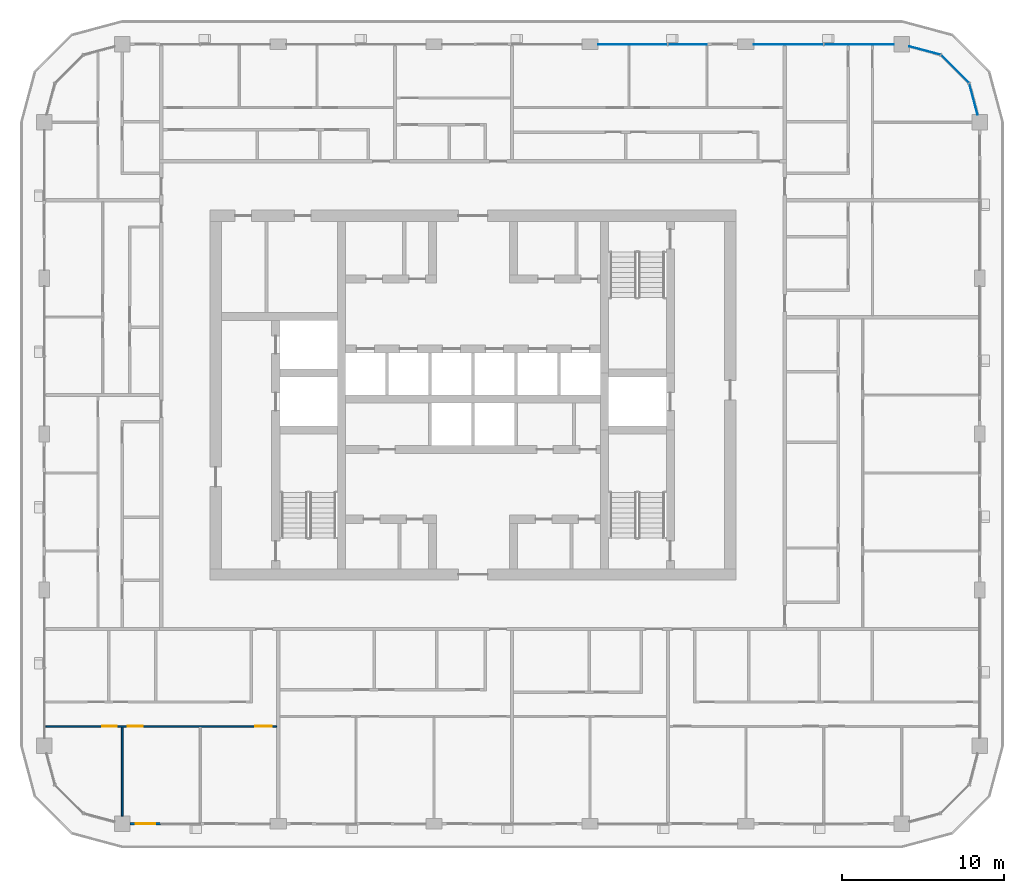
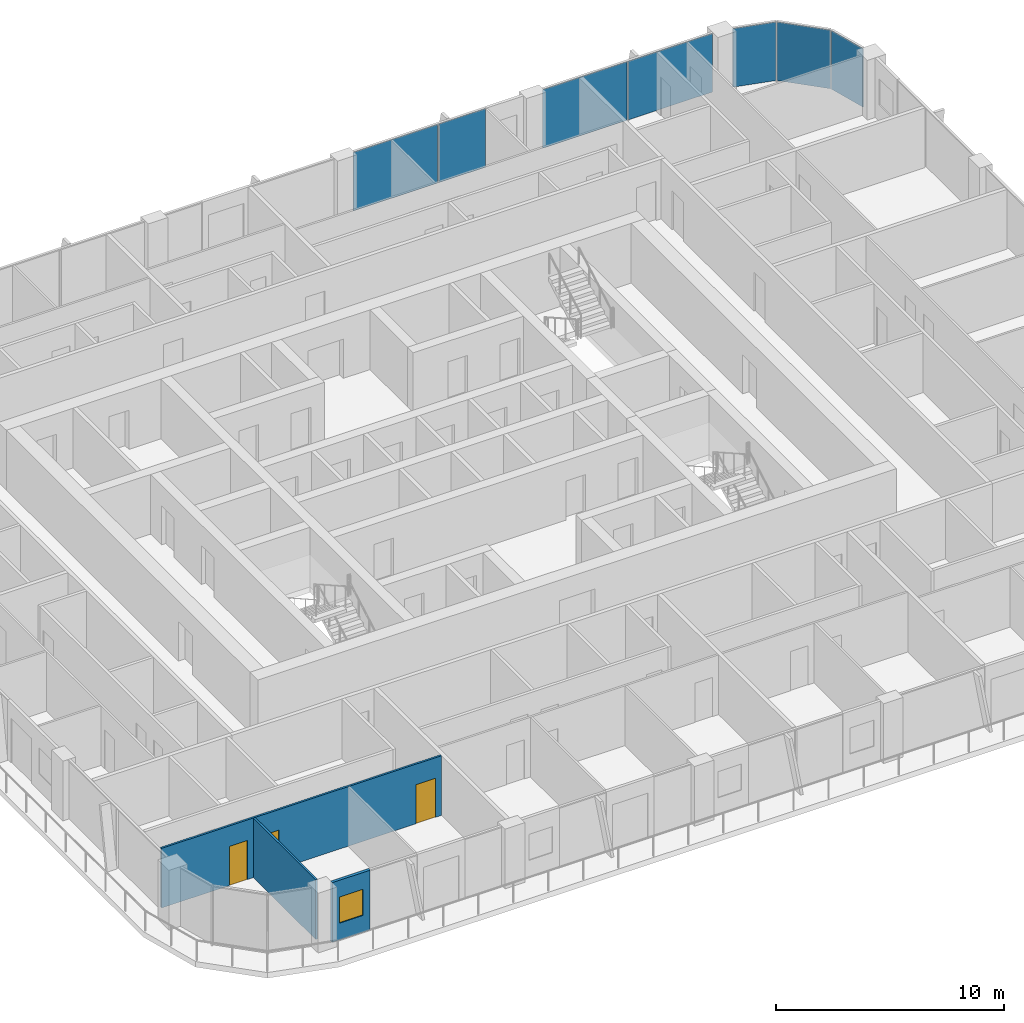
# One storey, part 8 of 22: 7 plates, 3 doors, 3 walls, 1 window, 4 openings, 3 elements without a shape of their own.
"""IFC4 building model written with IfcOpenShell, lengths in metres."""

from ifc_helpers import new_model, si_unit, direction, frame, frame_2d, origin, origin_2d, place, context, subcontext, project, spatial, rectangle, extrude, material, layer, layer_set, type_object, element, fill, aggregate, save


model = new_model("IFC4")

# Units and contexts
model_context = context("Model", 3, precision=1e-05, world=origin(), true_north=direction((0.0, 1.0)))
body_context = subcontext(model_context, "Body", "Model", "MODEL_VIEW")
ifc_project = project(units=[si_unit("LENGTHUNIT", "METRE"), si_unit("AREAUNIT", "SQUARE_METRE"), si_unit("VOLUMEUNIT", "CUBIC_METRE"), si_unit("PLANEANGLEUNIT", "RADIAN"), si_unit("MASSUNIT", "GRAM", prefix="KILO")], contexts=[model_context])

# Site, building, storey
site_placement = place(None, origin())
site = spatial("IfcSite", under=ifc_project, at=site_placement, CompositionType="ELEMENT")
building_placement = place(site_placement, origin())
building = spatial("IfcBuilding", under=site, at=building_placement, Name="Madar Terraces", CompositionType="ELEMENT")
storey_placement = place(building_placement, frame((0.0, 0.0, 182.39990234375)))
storey = spatial("IfcBuildingStorey", under=building, at=storey_placement, Name="L47", CompositionType="ELEMENT", Elevation=182.39990234375)

# Curtain wall, plates
ifc_material_1 = material(Name="Glass, ceramic frit dark grey, with black aluminium frame", Category="aluminium")
ifc_layer_1 = layer(ifc_material_1, 0.199951171875)
ifc_layer_set_1 = layer_set([ifc_layer_1], Name="Facade curtain wall, fritted glass")
curtain_wall_type = type_object("IfcCurtainWallType", Name="Facade curtain wall, fritted glass", PredefinedType="NOTDEFINED", material=ifc_layer_set_1)
curtain_wall_1_placement = place(storey_placement, origin())
curtain_wall_1 = element("IfcCurtainWall", 1, at=curtain_wall_1_placement, inside=storey, type_object=curtain_wall_type, Name="Outer skin curtain wall north bay 1", PredefinedType="NOTDEFINED")
ifc_material_2 = material(Name="Glass, ceramic frit dark grey", Category="glass")
ifc_layer_2 = layer(ifc_material_2, 0.028076171875)
ifc_layer_set_2 = layer_set([ifc_layer_2], Name="Facade glass panel 28")
plate_type = type_object("IfcPlateType", Name="Facade glass panel 28", PredefinedType="CURTAIN_PANEL", material=ifc_layer_set_2)
plate_1_placement = place(storey_placement, frame((54.9775390625, 48.0, 0.0), z_axis=(0.0, 0.0, 1.0), x_axis=(-1.0, 0.0, 0.0)))
plate_1 = element("IfcPlate", 2, at=plate_1_placement, type_object=plate_type, Name="Panel 1", PredefinedType="CURTAIN_PANEL", context=body_context, shape_type="SweptSolid", body=[
    extrude(rectangle(XDim=4.294921875, YDim=0.028076171875, at=origin_2d()), origin(), (0.0, 0.0, 1.0), 3.139892578125),
])
plate_2_placement = place(storey_placement, frame((50.635009765625, 48.0, 0.0), z_axis=(0.0, 0.0, 1.0), x_axis=(-1.0, 0.0, 0.0)))
plate_2 = element("IfcPlate", 3, at=plate_2_placement, type_object=plate_type, Name="Panel 2", PredefinedType="CURTAIN_PANEL", context=body_context, shape_type="SweptSolid", body=[
    extrude(rectangle(XDim=4.27001953125, YDim=0.028076171875, at=origin_2d()), origin(), (0.0, 0.0, 1.0), 3.139892578125),
])
aggregate(curtain_wall_1, [plate_1, plate_2])

curtain_wall_2_placement = place(storey_placement, origin())
curtain_wall_2 = element("IfcCurtainWall", 4, at=curtain_wall_2_placement, inside=storey, type_object=curtain_wall_type, Name="Outer skin curtain wall north bay 2", PredefinedType="NOTDEFINED")
plate_3_placement = place(storey_placement, frame((44.4150390625, 48.0, 0.0), z_axis=(0.0, 0.0, 1.0), x_axis=(-1.0, 0.0, 0.0)))
plate_3 = element("IfcPlate", 5, at=plate_3_placement, type_object=plate_type, Name="Panel 1", PredefinedType="CURTAIN_PANEL", context=body_context, shape_type="SweptSolid", body=[
    extrude(rectangle(XDim=2.3701171875, YDim=0.028076171875, at=origin_2d()), origin(), (0.0, 0.0, 1.0), 3.139892578125),
])
plate_4_placement = place(storey_placement, frame((41.034912109375, 48.0, 0.0), z_axis=(0.0, 0.0, 1.0), x_axis=(-1.0, 0.0, 0.0)))
plate_4 = element("IfcPlate", 6, at=plate_4_placement, type_object=plate_type, Name="Panel 2", PredefinedType="CURTAIN_PANEL", context=body_context, shape_type="SweptSolid", body=[
    extrude(rectangle(XDim=4.27001953125, YDim=0.028076171875, at=origin_2d()), origin(), (0.0, 0.0, 1.0), 3.139892578125),
])
aggregate(curtain_wall_2, [plate_3, plate_4])

curtain_wall_3_placement = place(storey_placement, origin())
curtain_wall_3 = element("IfcCurtainWall", 7, at=curtain_wall_3_placement, inside=storey, type_object=curtain_wall_type, Name="Outer skin curtain wall north-east corner", PredefinedType="NOTDEFINED")
plate_5_placement = place(storey_placement, frame((62.018798828125, 44.623046875, 0.0), z_axis=(0.0, 0.0, 1.0), x_axis=(-0.258819021888, 0.965925832509, 0.0)))
plate_5 = element("IfcPlate", 8, at=plate_5_placement, type_object=plate_type, Name="Panel 1", PredefinedType="CURTAIN_PANEL", context=body_context, shape_type="SweptSolid", body=[
    extrude(rectangle(XDim=1.962890625, YDim=0.028076171875, at=origin_2d()), origin(), (0.0, 0.0, 1.0), 3.139892578125),
])
plate_6_placement = place(storey_placement, frame((60.87841796875, 46.478515625, 0.0), z_axis=(0.0, 0.0, 1.0), x_axis=(-0.707106781187, 0.707106781187, 0.0)))
plate_6 = element("IfcPlate", 9, at=plate_6_placement, type_object=plate_type, Name="Panel 2", PredefinedType="CURTAIN_PANEL", context=body_context, shape_type="SweptSolid", body=[
    extrude(rectangle(XDim=2.424560546875, YDim=0.028076171875, at=origin_2d()), origin(), (0.0, 0.0, 1.0), 3.139892578125),
])
plate_7_placement = place(storey_placement, frame((59.02294921875, 47.61865234375, 0.0), z_axis=(0.0, 0.0, 1.0), x_axis=(-0.965925832509, 0.258819021888, 0.0)))
plate_7 = element("IfcPlate", 10, at=plate_7_placement, type_object=plate_type, Name="Panel 3", PredefinedType="CURTAIN_PANEL", context=body_context, shape_type="SweptSolid", body=[
    extrude(rectangle(XDim=1.962890625, YDim=0.028076171875, at=origin_2d()), origin(), (0.0, 0.0, 1.0), 3.139892578125),
])
aggregate(curtain_wall_3, [plate_5, plate_6, plate_7])

# Wall, opening, window
ifc_material_3 = material(Name="Aluminium composite panel, black, over insulated backing", Category="aluminium")
ifc_layer_3 = layer(ifc_material_3, 0.14990234375)
ifc_layer_set_3 = layer_set([ifc_layer_3], Name="Facade bay panel 150")
wall_type_1 = type_object("IfcWallType", Name="Facade bay panel 150", PredefinedType="SOLIDWALL", material=ifc_layer_set_3)
wall_1_placement = place(storey_placement, frame((10.074951171875, 0.0, 0.0), z_axis=(0.0, 0.0, 1.0), x_axis=(1.0, 0.0, 0.0)))
wall_1 = element("IfcWall", 11, at=wall_1_placement, inside=storey, type_object=wall_type_1, Name="Facade bay panel", PredefinedType="SOLIDWALL", context=body_context, shape_type="SweptSolid", body=[
    extrude(rectangle(XDim=1.925048828125, YDim=0.14990234375, at=frame_2d((0.96240234375, 0.0))), origin(), (0.0, 0.0, 1.0), 3.2001953125),
])
opening_1_placement = place(wall_1_placement, frame((0.362548828125, 0.0, 0.89990234375)))
opening_1 = element("IfcOpeningElement", 12, at=opening_1_placement, cuts=wall_1, Name="Opening W1", PredefinedType="OPENING", context=body_context, shape_type="SweptSolid", body=[
    extrude(rectangle(XDim=1.199951171875, YDim=1.39990234375, at=frame_2d((0.60009765625, 0.699951171875))), frame((0.0, 0.0849609375, 0.0), z_axis=(0.0, -1.0, 0.0), x_axis=(1.0, 0.0, 0.0)), (0.0, 0.0, 1.0), 0.169921875),
])
ifc_material_4 = material(Name="Glass, clear, with black aluminium frame", Category="aluminium")
window_type = type_object("IfcWindowType", Name="Vent window 1200 x 1400", PartitioningType="SINGLE_PANEL", PredefinedType="WINDOW", material=ifc_material_4)
window_placement = place(opening_1_placement, origin())
window = element("IfcWindow", 13, at=window_placement, inside=storey, type_object=window_type, Name="Operable vent window", OverallHeight=1.39990234375, OverallWidth=1.199951171875, PartitioningType="SINGLE_PANEL", PredefinedType="WINDOW", context=body_context, shape_type="SweptSolid", body=[
    extrude(rectangle(XDim=1.199951171875, YDim=1.39990234375, at=frame_2d((0.60009765625, 0.699951171875))), frame((0.0, 0.030029296875, 0.0), z_axis=(0.0, -1.0, 0.0), x_axis=(1.0, 0.0, 0.0)), (0.0, 0.0, 1.0), 0.06005859375),
])
fill(opening_1, window)

# Wall
ifc_material_5 = material(Name="Gypsum board on steel studs", Category="steel")
ifc_layer_4 = layer(ifc_material_5, 0.10009765625)
ifc_layer_set_4 = layer_set([ifc_layer_4], Name="Flat partition 100")
wall_type_2 = type_object("IfcWallType", Name="Flat partition 100", PredefinedType="PARTITIONING", material=ifc_layer_set_4)
wall_2_placement = place(storey_placement, frame((9.60009765625, 5.949951171875, 0.0), z_axis=(0.0, 0.0, 1.0), x_axis=(0.0, -1.0, 0.0)))
element("IfcWall", 14, at=wall_2_placement, inside=storey, type_object=wall_type_2, Name="Flat partition 100", PredefinedType="PARTITIONING", context=body_context, shape_type="SweptSolid", body=[
    extrude(rectangle(XDim=5.474853515625, YDim=0.10009765625, at=frame_2d((2.7373046875, 0.0))), origin(), (0.0, 0.0, 1.0), 3.2001953125),
])

# Wall, openings, doors
wall_3_placement = place(storey_placement, frame((19.10009765625, 6.0, 0.0), z_axis=(0.0, 0.0, 1.0), x_axis=(-1.0, 0.0, 0.0)))
wall_3 = element("IfcWall", 15, at=wall_3_placement, inside=storey, type_object=wall_type_2, Name="Flat partition 100", PredefinedType="PARTITIONING", context=body_context, shape_type="SweptSolid", body=[
    extrude(rectangle(XDim=14.2001953125, YDim=0.10009765625, at=frame_2d((7.10009765625, 0.0))), origin(), (0.0, 0.0, 1.0), 3.2001953125),
])
opening_2_placement = place(wall_3_placement, frame((0.300048828125, 0.0, 0.0)))
opening_2 = element("IfcOpeningElement", 16, at=opening_2_placement, cuts=wall_3, Name="Opening D3", PredefinedType="OPENING", context=body_context, shape_type="SweptSolid", body=[
    extrude(rectangle(XDim=1.0, YDim=2.10009765625, at=frame_2d((0.5, 1.050048828125))), frame((0.0, 0.06005859375, 0.0), z_axis=(0.0, -1.0, 0.0), x_axis=(1.0, 0.0, 0.0)), (0.0, 0.0, 1.0), 0.1201171875),
])
opening_3_placement = place(wall_3_placement, frame((8.25, 0.0, 0.0)))
opening_3 = element("IfcOpeningElement", 17, at=opening_3_placement, cuts=wall_3, Name="Opening D2", PredefinedType="OPENING", context=body_context, shape_type="SweptSolid", body=[
    extrude(rectangle(XDim=0.89990234375, YDim=2.10009765625, at=frame_2d((0.449951171875, 1.050048828125))), frame((0.0, 0.06005859375, 0.0), z_axis=(0.0, -1.0, 0.0), x_axis=(1.0, 0.0, 0.0)), (0.0, 0.0, 1.0), 0.1201171875),
])
opening_4_placement = place(wall_3_placement, frame((9.85009765625, 0.0, 0.0)))
opening_4 = element("IfcOpeningElement", 18, at=opening_4_placement, cuts=wall_3, Name="Opening D2", PredefinedType="OPENING", context=body_context, shape_type="SweptSolid", body=[
    extrude(rectangle(XDim=0.89990234375, YDim=2.10009765625, at=frame_2d((0.449951171875, 1.050048828125))), frame((0.0, 0.06005859375, 0.0), z_axis=(0.0, -1.0, 0.0), x_axis=(1.0, 0.0, 0.0)), (0.0, 0.0, 1.0), 0.1201171875),
])
ifc_material_6 = material(Name="Timber door leaf", Category="wood")
door_type_1 = type_object("IfcDoorType", Name="Flat living room door 1000", OperationType="NOTDEFINED", PredefinedType="DOOR", material=ifc_material_6)
door_1_placement = place(opening_2_placement, origin())
door_1 = element("IfcDoor", 19, at=door_1_placement, inside=storey, type_object=door_type_1, Name="Flat living room door 1000", OperationType="SINGLE_SWING_LEFT", OverallHeight=2.10009765625, OverallWidth=1.0, PredefinedType="DOOR", context=body_context, shape_type="SweptSolid", body=[
    extrude(rectangle(XDim=1.0, YDim=2.10009765625, at=frame_2d((0.5, 1.050048828125))), frame((0.0, 0.02490234375, 0.0), z_axis=(0.0, -1.0, 0.0), x_axis=(1.0, 0.0, 0.0)), (0.0, 0.0, 1.0), 0.050048828125),
])
fill(opening_2, door_1)
ifc_material_7 = material(Name="Timber door leaf", Category="wood")
door_type_2 = type_object("IfcDoorType", Name="Flat room door 900", OperationType="NOTDEFINED", PredefinedType="DOOR", material=ifc_material_7)
door_2_placement = place(opening_3_placement, origin())
door_2 = element("IfcDoor", 20, at=door_2_placement, inside=storey, type_object=door_type_2, Name="Flat room door 900", OperationType="SINGLE_SWING_RIGHT", OverallHeight=2.10009765625, OverallWidth=0.89990234375, PredefinedType="DOOR", context=body_context, shape_type="SweptSolid", body=[
    extrude(rectangle(XDim=0.89990234375, YDim=2.10009765625, at=frame_2d((0.449951171875, 1.050048828125))), frame((0.0, 0.02490234375, 0.0), z_axis=(0.0, -1.0, 0.0), x_axis=(1.0, 0.0, 0.0)), (0.0, 0.0, 1.0), 0.050048828125),
])
fill(opening_3, door_2)
door_3_placement = place(opening_4_placement, origin())
door_3 = element("IfcDoor", 21, at=door_3_placement, inside=storey, type_object=door_type_2, Name="Flat room door 900", OperationType="SINGLE_SWING_LEFT", OverallHeight=2.10009765625, OverallWidth=0.89990234375, PredefinedType="DOOR", context=body_context, shape_type="SweptSolid", body=[
    extrude(rectangle(XDim=0.89990234375, YDim=2.10009765625, at=frame_2d((0.449951171875, 1.050048828125))), frame((0.0, 0.02490234375, 0.0), z_axis=(0.0, -1.0, 0.0), x_axis=(1.0, 0.0, 0.0)), (0.0, 0.0, 1.0), 0.050048828125),
])
fill(opening_4, door_3)

save(model, "model.ifc")
